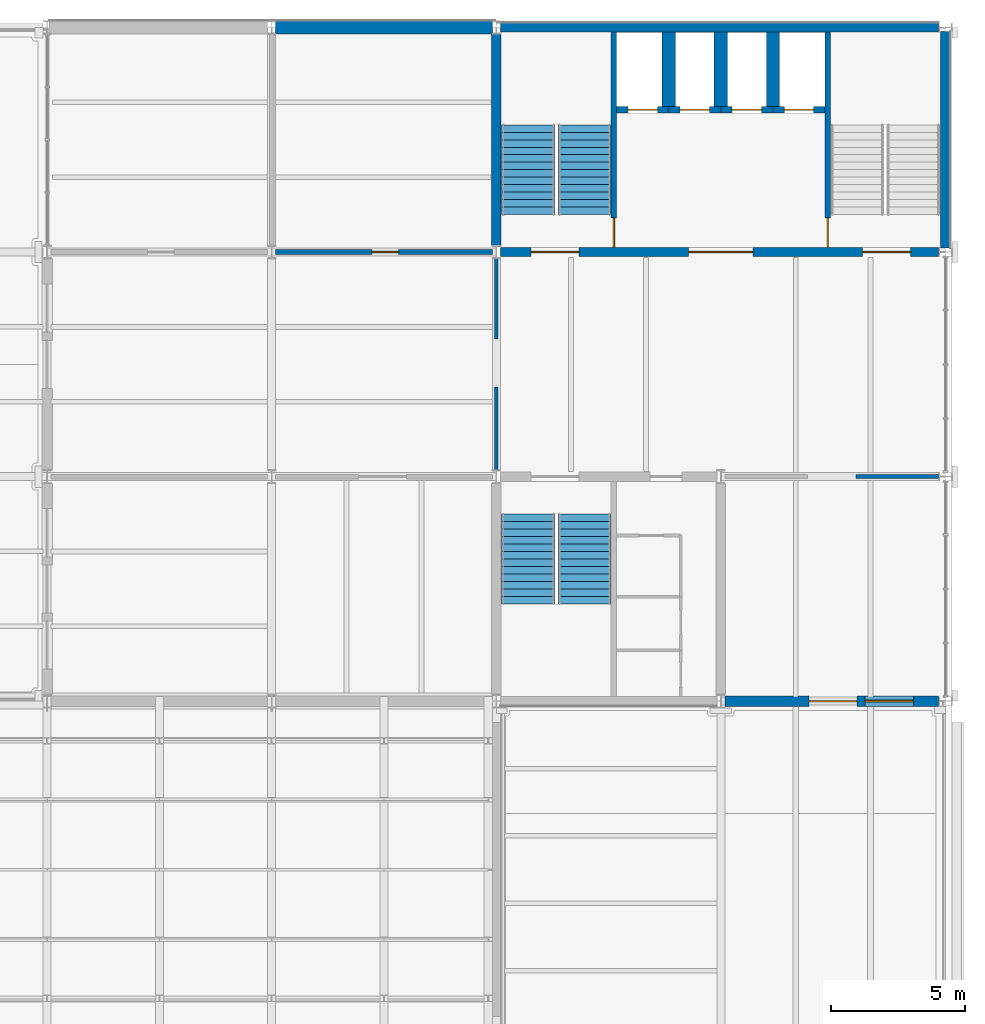
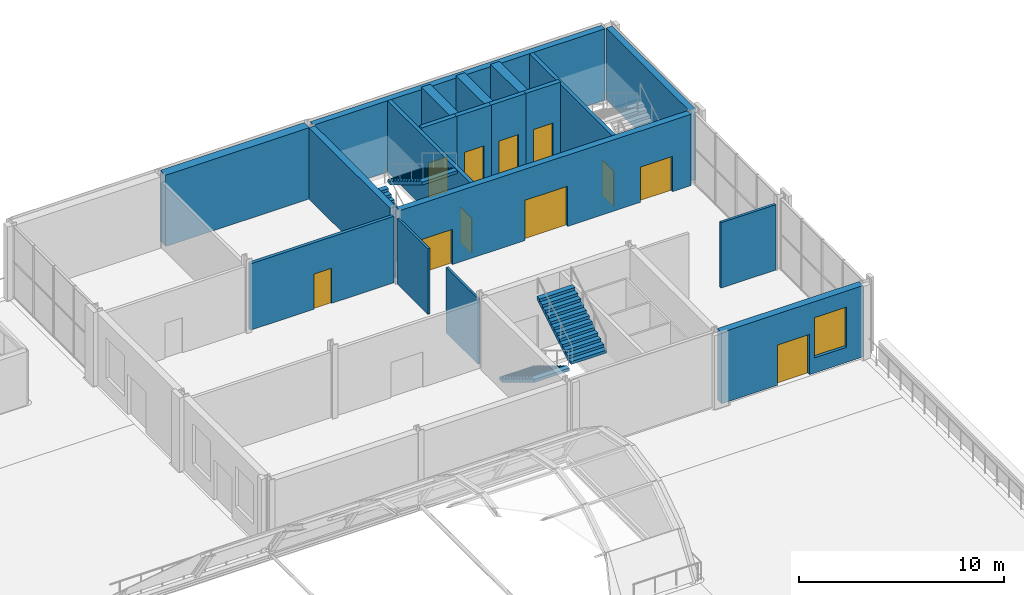
# One storey, part 41 of 58: 19 walls, 11 doors, 4 stair flights, 1 window, 12 openings, 2 elements without a shape of their own.
"""IFC4 building model written with IfcOpenShell, lengths in metres."""

from ifc_helpers import new_model, si_unit, direction, frame, frame_2d, origin, place, context, subcontext, project, spatial, polyline, rectangle, outline, extrude, material, layer, layer_set, type_object, element, fill, aggregate, save


model = new_model("IFC4")

# Units and contexts
model_context = context("Model", 3, precision=1e-05, world=origin(), true_north=direction((0.0, 1.0)))
body_context = subcontext(model_context, "Body", "Model", "MODEL_VIEW")
ifc_project = project(units=[si_unit("LENGTHUNIT", "METRE"), si_unit("AREAUNIT", "SQUARE_METRE"), si_unit("VOLUMEUNIT", "CUBIC_METRE"), si_unit("PLANEANGLEUNIT", "RADIAN"), si_unit("MASSUNIT", "GRAM", prefix="KILO")], contexts=[model_context])

# Site, building, storey
site_placement = place(None, origin())
site = spatial("IfcSite", under=ifc_project, at=site_placement, CompositionType="ELEMENT")
building_placement = place(site_placement, origin())
building = spatial("IfcBuilding", under=site, at=building_placement, Name="Galleria Vessillo Department Store", CompositionType="ELEMENT")
storey_placement = place(building_placement, frame((0.0, 0.0, 31.199951171875)))
storey = spatial("IfcBuildingStorey", under=building, at=storey_placement, Name="L06", CompositionType="ELEMENT", Elevation=31.199951171875)

# Wall, opening, door
ifc_material_1 = material(Name="Acoustic gypsum board partition")
ifc_layer_1 = layer(ifc_material_1, 0.175048828125)
ifc_layer_set_1 = layer_set([ifc_layer_1], Name="Acoustic gypsum board partition")
wall_type_1 = type_object("IfcWallType", Name="Acoustic conference partition 175 mm", PredefinedType="PARTITIONING", material=ifc_layer_set_1)
wall_1_placement = place(storey_placement, frame((92.5498046875, 54.60009765625, 0.0), z_axis=(0.0, 0.0, 1.0), x_axis=(1.0, 0.0, 0.0)))
wall_1 = element("IfcWall", 1, at=wall_1_placement, inside=storey, type_object=wall_type_1, Name="Partition wall PT6 on L06 no. 014", PredefinedType="PARTITIONING", context=body_context, shape_type="SweptSolid", body=[
    extrude(rectangle(XDim=8.100341796875, YDim=0.175048828125, at=frame_2d((4.05029296875, 0.0))), origin(), (0.0, 0.0, 1.0), 3.960205078125),
])
opening_1_placement = place(wall_1_placement, frame((3.60009765625, 0.0, 0.0)))
opening_1 = element("IfcOpeningElement", 2, at=opening_1_placement, cuts=wall_1, Name="Opening D2806", PredefinedType="OPENING", context=body_context, shape_type="SweptSolid", body=[
    extrude(rectangle(XDim=1.0, YDim=2.10009765625, at=frame_2d((0.5, 1.050048828125))), frame((0.0, 0.09765625, 0.0), z_axis=(0.0, -1.0, 0.0), x_axis=(1.0, 0.0, 0.0)), (0.0, 0.0, 1.0), 0.195068359375),
])
ifc_material_2 = material(Name="Timber and glass door leaf", Category="wood")
door_type_1 = type_object("IfcDoorType", Name="Floor door 1000 single leaf", OperationType="SINGLE_SWING_LEFT", PredefinedType="DOOR", material=ifc_material_2)
door_1_placement = place(opening_1_placement, origin())
door_1 = element("IfcDoor", 3, at=door_1_placement, inside=storey, type_object=door_type_1, Name="Door D2806", OperationType="SINGLE_SWING_RIGHT", OverallHeight=2.10009765625, OverallWidth=1.0, PredefinedType="DOOR", context=body_context, shape_type="SweptSolid", body=[
    extrude(rectangle(XDim=1.0, YDim=2.10009765625, at=frame_2d((0.5, 1.050048828125))), frame((0.0, 0.02490234375, 0.0), z_axis=(0.0, -1.0, 0.0), x_axis=(1.0, 0.0, 0.0)), (0.0, 0.0, 1.0), 0.050048828125),
])
fill(opening_1, door_1)

# Walls
ifc_material_3 = material(Name="Solid clay block masonry", Category="masonry")
ifc_layer_2 = layer(ifc_material_3, 0.5)
ifc_layer_set_2 = layer_set([ifc_layer_2], Name="Solid clay block masonry")
wall_type_2 = type_object("IfcWallType", Name="Lift shaft partition wall 500 mm", PredefinedType="SOLIDWALL", material=ifc_layer_set_2)
for number, where, z_axis, x_axis, name in (
    (4, (107.25, 62.824951171875, 0.0), (0.0, 0.0, 1.0), (0.0, -1.0, 0.0), "Lift shaft partition wall T1 L06"),
    (5, (109.199951171875, 62.824951171875, 0.0), (0.0, 0.0, 1.0), (0.0, -1.0, 0.0), "Lift shaft partition wall T2 L06"),
    (6, (111.14990234375, 62.824951171875, 0.0), (0.0, 0.0, 1.0), (0.0, -1.0, 0.0), "Lift shaft partition wall T3 L06"),
):
    element("IfcWall", number, at=place(storey_placement, frame(where, z_axis=z_axis, x_axis=x_axis)), inside=storey, type_object=wall_type_2, Name=name, PredefinedType="SOLIDWALL", context=body_context, shape_type="SweptSolid", body=[
        extrude(rectangle(XDim=2.77490234375, YDim=0.5, at=frame_2d((1.387451171875, 0.0))), origin(), (0.0, 0.0, 1.0), 4.400146484375),
    ])

# Wall, opening, door
ifc_material_4 = material(Name="Solid clay block masonry", Category="masonry")
ifc_layer_3 = layer(ifc_material_4, 0.25)
ifc_layer_set_3 = layer_set([ifc_layer_3], Name="Solid clay block masonry")
wall_type_3 = type_object("IfcWallType", Name="Lift shaft wall 250 mm", PredefinedType="SOLIDWALL", material=ifc_layer_set_3)
wall_2_placement = place(storey_placement, frame((105.300048828125, 59.925048828125, 0.0), z_axis=(0.0, 0.0, 1.0), x_axis=(1.0, 0.0, 0.0)))
wall_2 = element("IfcWall", 7, at=wall_2_placement, inside=storey, type_object=wall_type_3, Name="Lift shaft wall T1 landing side L06", PredefinedType="SOLIDWALL", context=body_context, shape_type="SweptSolid", body=[
    extrude(rectangle(XDim=1.949951171875, YDim=0.25, at=frame_2d((0.97509765625, 0.0))), origin(), (0.0, 0.0, 1.0), 4.400146484375),
])
opening_2_placement = place(wall_2_placement, frame((0.4248046875, 0.0, 0.0)))
opening_2 = element("IfcOpeningElement", 8, at=opening_2_placement, cuts=wall_2, Name="Opening LD097", PredefinedType="OPENING", context=body_context, shape_type="SweptSolid", body=[
    extrude(rectangle(XDim=1.10009765625, YDim=2.10009765625, at=frame_2d((0.550048828125, 1.050048828125))), frame((0.0, 0.135009765625, 0.0), z_axis=(0.0, -1.0, 0.0), x_axis=(1.0, 0.0, 0.0)), (0.0, 0.0, 1.0), 0.27001953125),
])
ifc_material_5 = material(Name="Stainless steel lift door panel", Category="steel")
door_type_2 = type_object("IfcDoorType", Name="Lift landing door LD110 sliding 1100 x 2100", OperationType="SLIDING_TO_LEFT", PredefinedType="DOOR", material=ifc_material_5)
door_2_placement = place(opening_2_placement, frame((1.10009765625, 0.0, 0.0), z_axis=(0.0, 0.0, 1.0), x_axis=(-1.0, 0.0, 0.0)))
door_2 = element("IfcDoor", 9, at=door_2_placement, inside=storey, type_object=door_type_2, Name="Lift landing door T1 L06", OperationType="SLIDING_TO_RIGHT", OverallHeight=2.10009765625, OverallWidth=1.10009765625, PredefinedType="DOOR", context=body_context, shape_type="SweptSolid", body=[
    extrude(rectangle(XDim=1.10009765625, YDim=2.10009765625, at=frame_2d((0.550048828125, 1.050048828125))), frame((0.0, 0.02490234375, 0.0), z_axis=(0.0, -1.0, 0.0), x_axis=(1.0, 0.0, 0.0)), (0.0, 0.0, 1.0), 0.050048828125),
])
fill(opening_2, door_2)

wall_3_placement = place(storey_placement, frame((107.25, 59.925048828125, 0.0), z_axis=(0.0, 0.0, 1.0), x_axis=(1.0, 0.0, 0.0)))
wall_3 = element("IfcWall", 10, at=wall_3_placement, inside=storey, type_object=wall_type_3, Name="Lift shaft wall T2 landing side L06", PredefinedType="SOLIDWALL", context=body_context, shape_type="SweptSolid", body=[
    extrude(rectangle(XDim=1.949951171875, YDim=0.25, at=frame_2d((0.97509765625, 0.0))), origin(), (0.0, 0.0, 1.0), 4.400146484375),
])
opening_3_placement = place(wall_3_placement, frame((0.425048828125, 0.0, 0.0)))
opening_3 = element("IfcOpeningElement", 11, at=opening_3_placement, cuts=wall_3, Name="Opening LD098", PredefinedType="OPENING", context=body_context, shape_type="SweptSolid", body=[
    extrude(rectangle(XDim=1.10009765625, YDim=2.10009765625, at=frame_2d((0.550048828125, 1.050048828125))), frame((0.0, 0.135009765625, 0.0), z_axis=(0.0, -1.0, 0.0), x_axis=(1.0, 0.0, 0.0)), (0.0, 0.0, 1.0), 0.27001953125),
])
door_3_placement = place(opening_3_placement, frame((1.10009765625, 0.0, 0.0), z_axis=(0.0, 0.0, 1.0), x_axis=(-1.0, 0.0, 0.0)))
door_3 = element("IfcDoor", 12, at=door_3_placement, inside=storey, type_object=door_type_2, Name="Lift landing door T2 L06", OperationType="SLIDING_TO_RIGHT", OverallHeight=2.10009765625, OverallWidth=1.10009765625, PredefinedType="DOOR", context=body_context, shape_type="SweptSolid", body=[
    extrude(rectangle(XDim=1.10009765625, YDim=2.10009765625, at=frame_2d((0.550048828125, 1.050048828125))), frame((0.0, 0.02490234375, 0.0), z_axis=(0.0, -1.0, 0.0), x_axis=(1.0, 0.0, 0.0)), (0.0, 0.0, 1.0), 0.050048828125),
])
fill(opening_3, door_3)

wall_4_placement = place(storey_placement, frame((109.199951171875, 59.925048828125, 0.0), z_axis=(0.0, 0.0, 1.0), x_axis=(1.0, 0.0, 0.0)))
wall_4 = element("IfcWall", 13, at=wall_4_placement, inside=storey, type_object=wall_type_3, Name="Lift shaft wall T3 landing side L06", PredefinedType="SOLIDWALL", context=body_context, shape_type="SweptSolid", body=[
    extrude(rectangle(XDim=1.949951171875, YDim=0.25, at=frame_2d((0.97509765625, 0.0))), origin(), (0.0, 0.0, 1.0), 4.400146484375),
])
opening_4_placement = place(wall_4_placement, frame((0.425048828125, 0.0, 0.0)))
opening_4 = element("IfcOpeningElement", 14, at=opening_4_placement, cuts=wall_4, Name="Opening LD099", PredefinedType="OPENING", context=body_context, shape_type="SweptSolid", body=[
    extrude(rectangle(XDim=1.10009765625, YDim=2.10009765625, at=frame_2d((0.550048828125, 1.050048828125))), frame((0.0, 0.135009765625, 0.0), z_axis=(0.0, -1.0, 0.0), x_axis=(1.0, 0.0, 0.0)), (0.0, 0.0, 1.0), 0.27001953125),
])
door_4_placement = place(opening_4_placement, frame((1.10009765625, 0.0, 0.0), z_axis=(0.0, 0.0, 1.0), x_axis=(-1.0, 0.0, 0.0)))
door_4 = element("IfcDoor", 15, at=door_4_placement, inside=storey, type_object=door_type_2, Name="Lift landing door T3 L06", OperationType="SLIDING_TO_RIGHT", OverallHeight=2.10009765625, OverallWidth=1.10009765625, PredefinedType="DOOR", context=body_context, shape_type="SweptSolid", body=[
    extrude(rectangle(XDim=1.10009765625, YDim=2.10009765625, at=frame_2d((0.550048828125, 1.050048828125))), frame((0.0, 0.02490234375, 0.0), z_axis=(0.0, -1.0, 0.0), x_axis=(1.0, 0.0, 0.0)), (0.0, 0.0, 1.0), 0.050048828125),
])
fill(opening_4, door_4)

wall_5_placement = place(storey_placement, frame((111.14990234375, 59.925048828125, 0.0), z_axis=(0.0, 0.0, 1.0), x_axis=(1.0, 0.0, 0.0)))
wall_5 = element("IfcWall", 16, at=wall_5_placement, inside=storey, type_object=wall_type_3, Name="Lift shaft wall T4 landing side L06", PredefinedType="SOLIDWALL", context=body_context, shape_type="SweptSolid", body=[
    extrude(rectangle(XDim=1.9501953125, YDim=0.25, at=frame_2d((0.97509765625, 0.0))), origin(), (0.0, 0.0, 1.0), 4.400146484375),
])
opening_5_placement = place(wall_5_placement, frame((0.425048828125, 0.0, 0.0)))
opening_5 = element("IfcOpeningElement", 17, at=opening_5_placement, cuts=wall_5, Name="Opening LD100", PredefinedType="OPENING", context=body_context, shape_type="SweptSolid", body=[
    extrude(rectangle(XDim=1.10009765625, YDim=2.10009765625, at=frame_2d((0.550048828125, 1.050048828125))), frame((0.0, 0.135009765625, 0.0), z_axis=(0.0, -1.0, 0.0), x_axis=(1.0, 0.0, 0.0)), (0.0, 0.0, 1.0), 0.27001953125),
])
door_5_placement = place(opening_5_placement, frame((1.10009765625, 0.0, 0.0), z_axis=(0.0, 0.0, 1.0), x_axis=(-1.0, 0.0, 0.0)))
door_5 = element("IfcDoor", 18, at=door_5_placement, inside=storey, type_object=door_type_2, Name="Lift landing door T4 L06", OperationType="SLIDING_TO_LEFT", OverallHeight=2.10009765625, OverallWidth=1.10009765625, PredefinedType="DOOR", context=body_context, shape_type="SweptSolid", body=[
    extrude(rectangle(XDim=1.10009765625, YDim=2.10009765625, at=frame_2d((0.550048828125, 1.050048828125))), frame((0.0, 0.02490234375, 0.0), z_axis=(0.0, -1.0, 0.0), x_axis=(1.0, 0.0, 0.0)), (0.0, 0.0, 1.0), 0.050048828125),
])
fill(opening_5, door_5)

# Wall, openings, door, window
ifc_material_6 = material(Name="Reinforced masonry, limestone units 80 MPa", Category="masonry")
ifc_layer_4 = layer(ifc_material_6, 0.39990234375)
ifc_layer_set_4 = layer_set([ifc_layer_4], Name="Reinforced masonry, limestone units 80 MPa")
wall_type_4 = type_object("IfcWallType", Name="Load-bearing limestone-faced wall 400 mm", PredefinedType="STANDARD", material=ifc_layer_set_4)
wall_6_placement = place(storey_placement, frame((109.349853515625, 37.800048828125, 0.0), z_axis=(0.0, 0.0, 1.0), x_axis=(1.0, 0.0, 0.0)))
wall_6 = element("IfcWall", 19, at=wall_6_placement, inside=storey, type_object=wall_type_4, Name="Load-bearing limestone-faced wall 400 mm TS-L06-01", PredefinedType="STANDARD", context=body_context, shape_type="SweptSolid", body=[
    extrude(rectangle(XDim=8.000244140625, YDim=0.39990234375, at=frame_2d((4.0, 0.0))), origin(), (0.0, 0.0, 1.0), 4.250244140625),
])
opening_6_placement = place(wall_6_placement, frame((5.250244140625, 0.0, 0.89990234375)))
opening_6 = element("IfcOpeningElement", 20, at=opening_6_placement, cuts=wall_6, Name="Opening W094", PredefinedType="OPENING", context=body_context, shape_type="SweptSolid", body=[
    extrude(rectangle(XDim=1.800048828125, YDim=2.39990234375, at=frame_2d((0.89990234375, 1.199951171875))), frame((0.0, 0.2099609375, 0.0), z_axis=(0.0, -1.0, 0.0), x_axis=(1.0, 0.0, 0.0)), (0.0, 0.0, 1.0), 0.419921875),
])
opening_7_placement = place(wall_6_placement, frame((3.150146484375, 0.0, 0.0)))
opening_7 = element("IfcOpeningElement", 21, at=opening_7_placement, cuts=wall_6, Name="Opening DT6-S113", PredefinedType="OPENING", context=body_context, shape_type="SweptSolid", body=[
    extrude(rectangle(XDim=1.800048828125, YDim=2.39990234375, at=frame_2d((0.89990234375, 1.199951171875))), frame((0.0, 0.2099609375, 0.0), z_axis=(0.0, -1.0, 0.0), x_axis=(1.0, 0.0, 0.0)), (0.0, 0.0, 1.0), 0.419921875),
])
ifc_material_7 = material(Name="Aluminium frame with laminated glass 44.2", Category="aluminium")
door_type_3 = type_object("IfcDoorType", Name="Glazed double terrace door 1800 x 2400", OperationType="DOUBLE_DOOR_SINGLE_SWING", PredefinedType="DOOR", material=ifc_material_7)
door_6_placement = place(opening_7_placement, origin())
door_6 = element("IfcDoor", 22, at=door_6_placement, inside=storey, type_object=door_type_3, Name="Glazed double terrace door 1800 x 2400 DT6-S113", OperationType="DOUBLE_DOOR_SINGLE_SWING", OverallHeight=2.39990234375, OverallWidth=1.800048828125, PredefinedType="DOOR", context=body_context, shape_type="SweptSolid", body=[
    extrude(rectangle(XDim=1.800048828125, YDim=2.39990234375, at=frame_2d((0.89990234375, 1.199951171875))), frame((0.0, 0.02490234375, 0.0), z_axis=(0.0, -1.0, 0.0), x_axis=(1.0, 0.0, 0.0)), (0.0, 0.0, 1.0), 0.050048828125),
])
fill(opening_7, door_6)
ifc_material_8 = material(Name="Aluminium frame with laminated glass 44.2", Category="aluminium")
window_type = type_object("IfcWindowType", Name="Tower window, lower storeys 1800 x 2400", PartitioningType="SINGLE_PANEL", PredefinedType="WINDOW", material=ifc_material_8)
window_placement = place(opening_6_placement, origin())
window = element("IfcWindow", 23, at=window_placement, inside=storey, type_object=window_type, Name="E-WIN-TS-L06-01-094", OverallHeight=2.39990234375, OverallWidth=1.800048828125, PartitioningType="SINGLE_PANEL", PredefinedType="WINDOW", context=body_context, shape_type="SweptSolid", body=[
    extrude(rectangle(XDim=1.800048828125, YDim=2.39990234375, at=frame_2d((0.89990234375, 1.199951171875))), frame((0.0, 0.030029296875, 0.0), z_axis=(0.0, -1.0, 0.0), x_axis=(1.0, 0.0, 0.0)), (0.0, 0.0, 1.0), 0.06005859375),
])
fill(opening_6, window)

# Walls
ifc_material_9 = material(Name="Gypsum board partition")
ifc_layer_5 = layer(ifc_material_9, 0.125)
ifc_layer_set_5 = layer_set([ifc_layer_5], Name="Gypsum board partition")
wall_type_5 = type_object("IfcWallType", Name="Office partition 125 mm", PredefinedType="PARTITIONING", material=ifc_layer_set_5)
wall_7_placement = place(storey_placement, frame((100.800048828125, 46.449951171875, 0.0), z_axis=(0.0, 0.0, 1.0), x_axis=(0.0, 1.0, 0.0)))
element("IfcWall", 24, at=wall_7_placement, inside=storey, type_object=wall_type_5, Name="Partition wall PT2 on L06 no. 011", PredefinedType="PARTITIONING", context=body_context, shape_type="SweptSolid", body=[
    extrude(rectangle(XDim=3.10009765625, YDim=0.125, at=frame_2d((1.550048828125, 0.0))), origin(), (0.0, 0.0, 1.0), 3.900146484375),
])
wall_8_placement = place(storey_placement, frame((100.800048828125, 51.349853515625, 0.0), z_axis=(0.0, 0.0, 1.0), x_axis=(0.0, 1.0, 0.0)))
element("IfcWall", 25, at=wall_8_placement, inside=storey, type_object=wall_type_5, Name="Partition wall PT2 on L06 no. 012", PredefinedType="PARTITIONING", context=body_context, shape_type="SweptSolid", body=[
    extrude(rectangle(XDim=3.000244140625, YDim=0.125, at=frame_2d((1.5, 0.0))), origin(), (0.0, 0.0, 1.0), 3.900146484375),
])

# Wall, openings, doors
ifc_material_10 = material(Name="Concrete C32/40 reinforced", Category="concrete")
ifc_layer_6 = layer(ifc_material_10, 0.35009765625)
ifc_layer_set_6 = layer_set([ifc_layer_6], Name="Concrete C32/40 reinforced")
wall_type_6 = type_object("IfcWallType", Name="Reinforced concrete core wall 350 mm", PredefinedType="SHEAR", material=ifc_layer_set_6)
wall_9_placement = place(storey_placement, frame((100.949951171875, 54.60009765625, 0.0), z_axis=(0.0, 0.0, 1.0), x_axis=(1.0, 0.0, 0.0)))
wall_9 = element("IfcWall", 26, at=wall_9_placement, inside=storey, type_object=wall_type_6, Name="S-CW-TC-INTERIOR-L06", PredefinedType="SHEAR", context=body_context, shape_type="SweptSolid", body=[
    extrude(rectangle(XDim=16.400146484375, YDim=0.35009765625, at=frame_2d((8.2001953125, 0.0))), origin(), (0.0, 0.0, 1.0), 4.250244140625),
])
opening_8_placement = place(wall_9_placement, frame((1.14990234375, 0.0, 0.0)))
opening_8 = element("IfcOpeningElement", 27, at=opening_8_placement, cuts=wall_9, Name="Opening D5272", PredefinedType="OPENING", context=body_context, shape_type="SweptSolid", body=[
    extrude(rectangle(XDim=1.800048828125, YDim=2.10009765625, at=frame_2d((0.89990234375, 1.050048828125))), frame((0.0, 0.18505859375, 0.0), z_axis=(0.0, -1.0, 0.0), x_axis=(1.0, 0.0, 0.0)), (0.0, 0.0, 1.0), 0.3701171875),
])
opening_9_placement = place(wall_9_placement, frame((13.5498046875, 0.0, 0.0)))
opening_9 = element("IfcOpeningElement", 28, at=opening_9_placement, cuts=wall_9, Name="Opening D5273", PredefinedType="OPENING", context=body_context, shape_type="SweptSolid", body=[
    extrude(rectangle(XDim=1.800048828125, YDim=2.10009765625, at=frame_2d((0.89990234375, 1.050048828125))), frame((0.0, 0.18505859375, 0.0), z_axis=(0.0, -1.0, 0.0), x_axis=(1.0, 0.0, 0.0)), (0.0, 0.0, 1.0), 0.3701171875),
])
opening_10_placement = place(wall_9_placement, frame((7.0498046875, 0.0, 0.0)))
opening_10 = element("IfcOpeningElement", 29, at=opening_10_placement, cuts=wall_9, Name="Opening D5274", PredefinedType="OPENING", context=body_context, shape_type="SweptSolid", body=[
    extrude(rectangle(XDim=2.39990234375, YDim=2.39990234375, at=frame_2d((1.199951171875, 1.199951171875))), frame((0.0, 0.18505859375, 0.0), z_axis=(0.0, -1.0, 0.0), x_axis=(1.0, 0.0, 0.0)), (0.0, 0.0, 1.0), 0.3701171875),
])
ifc_material_11 = material(Name="Fire-rated steel door leaf", Category="steel")
door_type_4 = type_object("IfcDoorType", Name="Door D180F double leaf 1800 x 2100", OperationType="DOUBLE_DOOR_SINGLE_SWING", PredefinedType="DOOR", material=ifc_material_11)
door_7_placement = place(opening_8_placement, origin())
door_7 = element("IfcDoor", 30, at=door_7_placement, inside=storey, type_object=door_type_4, Name="Lobby door TC-ST8-FLOOR L06", OperationType="DOUBLE_DOOR_SINGLE_SWING", OverallHeight=2.10009765625, OverallWidth=1.800048828125, PredefinedType="DOOR", context=body_context, shape_type="SweptSolid", body=[
    extrude(rectangle(XDim=1.800048828125, YDim=2.10009765625, at=frame_2d((0.89990234375, 1.050048828125))), frame((0.0, 0.02490234375, 0.0), z_axis=(0.0, -1.0, 0.0), x_axis=(1.0, 0.0, 0.0)), (0.0, 0.0, 1.0), 0.050048828125),
])
fill(opening_8, door_7)
door_8_placement = place(opening_9_placement, origin())
door_8 = element("IfcDoor", 31, at=door_8_placement, inside=storey, type_object=door_type_4, Name="Lobby door TC-ST9-FLOOR L06", OperationType="DOUBLE_DOOR_SINGLE_SWING", OverallHeight=2.10009765625, OverallWidth=1.800048828125, PredefinedType="DOOR", context=body_context, shape_type="SweptSolid", body=[
    extrude(rectangle(XDim=1.800048828125, YDim=2.10009765625, at=frame_2d((0.89990234375, 1.050048828125))), frame((0.0, 0.02490234375, 0.0), z_axis=(0.0, -1.0, 0.0), x_axis=(1.0, 0.0, 0.0)), (0.0, 0.0, 1.0), 0.050048828125),
])
fill(opening_9, door_8)
ifc_material_12 = material(Name="Fire-rated steel door leaf", Category="steel")
door_type_5 = type_object("IfcDoorType", Name="Door D240F double leaf 2400 x 2400", OperationType="DOUBLE_DOOR_SINGLE_SWING", PredefinedType="DOOR", material=ifc_material_12)
door_9_placement = place(opening_10_placement, frame((2.39990234375, 0.0, 0.0), z_axis=(0.0, 0.0, 1.0), x_axis=(-1.0, 0.0, 0.0)))
door_9 = element("IfcDoor", 32, at=door_9_placement, inside=storey, type_object=door_type_5, Name="Lobby door TC-LOBBY-FLOOR L06", OperationType="DOUBLE_DOOR_SINGLE_SWING", OverallHeight=2.39990234375, OverallWidth=2.39990234375, PredefinedType="DOOR", context=body_context, shape_type="SweptSolid", body=[
    extrude(rectangle(XDim=2.39990234375, YDim=2.39990234375, at=frame_2d((1.199951171875, 1.199951171875))), frame((0.0, 0.02490234375, 0.0), z_axis=(0.0, -1.0, 0.0), x_axis=(1.0, 0.0, 0.0)), (0.0, 0.0, 1.0), 0.050048828125),
])
fill(opening_10, door_9)

# Walls
wall_10_placement = place(storey_placement, frame((100.800048828125, 54.85009765625, 0.0), z_axis=(0.0, 0.0, 1.0), x_axis=(0.0, 1.0, 0.0)))
element("IfcWall", 33, at=wall_10_placement, inside=storey, type_object=wall_type_6, Name="S-CW-TC-WEST-L06", PredefinedType="SHEAR", context=body_context, shape_type="SweptSolid", body=[
    extrude(rectangle(XDim=7.89990234375, YDim=0.35009765625, at=frame_2d((3.949951171875, 0.0))), origin(), (0.0, 0.0, 1.0), 4.250244140625),
])
ifc_material_13 = material(Name="Concrete C32/40 reinforced", Category="concrete")
ifc_layer_7 = layer(ifc_material_13, 0.35009765625)
ifc_layer_set_7 = layer_set([ifc_layer_7], Name="Concrete C32/40 reinforced")
wall_type_7 = type_object("IfcWallType", Name="Reinforced concrete core wall 350 mm, external", PredefinedType="SHEAR", material=ifc_layer_set_7)
wall_11_placement = place(storey_placement, frame((100.949951171875, 63.0, 0.0), z_axis=(0.0, 0.0, 1.0), x_axis=(1.0, 0.0, 0.0)))
element("IfcWall", 34, at=wall_11_placement, inside=storey, type_object=wall_type_7, Name="S-CW-TC-PARTY-L06", PredefinedType="SHEAR", context=body_context, shape_type="SweptSolid", body=[
    extrude(rectangle(XDim=16.400146484375, YDim=0.35009765625, at=frame_2d((8.2001953125, 0.0))), origin(), (0.0, 0.0, 1.0), 4.250244140625),
])
wall_12_placement = place(storey_placement, frame((117.60009765625, 54.75, 0.0), z_axis=(0.0, 0.0, 1.0), x_axis=(0.0, 1.0, 0.0)))
element("IfcWall", 35, at=wall_12_placement, inside=storey, type_object=wall_type_7, Name="S-CW-TC-EAST-L06", PredefinedType="SHEAR", context=body_context, shape_type="SweptSolid", body=[
    extrude(rectangle(XDim=8.10009765625, YDim=0.35009765625, at=frame_2d((4.050048828125, 0.0))), origin(), (0.0, 0.0, 1.0), 4.250244140625),
])
ifc_material_14 = material(Name="Concrete C32/40 reinforced", Category="concrete")
ifc_layer_8 = layer(ifc_material_14, 0.5)
ifc_layer_set_8 = layer_set([ifc_layer_8], Name="Concrete C32/40 reinforced")
wall_type_8 = type_object("IfcWallType", Name="Reinforced concrete party wall 500 mm", PredefinedType="SHEAR", material=ifc_layer_set_8)
wall_13_placement = place(storey_placement, frame((92.5498046875, 63.0, 0.0), z_axis=(0.0, 0.0, 1.0), x_axis=(1.0, 0.0, 0.0)))
element("IfcWall", 36, at=wall_13_placement, inside=storey, type_object=wall_type_8, Name="S-TN-L06-02", PredefinedType="SHEAR", context=body_context, shape_type="SweptSolid", body=[
    extrude(rectangle(XDim=8.100341796875, YDim=0.5, at=frame_2d((4.05029296875, 0.0))), origin(), (0.0, 0.0, 1.0), 4.250244140625),
])

# Wall, opening, door
ifc_material_15 = material(Name="Concrete C32/40 reinforced", Category="concrete")
ifc_layer_9 = layer(ifc_material_15, 0.199951171875)
ifc_layer_set_9 = layer_set([ifc_layer_9], Name="Concrete C32/40 reinforced")
wall_type_9 = type_object("IfcWallType", Name="Reinforced concrete stair enclosure wall 200 mm", PredefinedType="SHEAR", material=ifc_layer_set_9)
wall_14_placement = place(storey_placement, frame((105.199951171875, 62.824951171875, 0.0), z_axis=(0.0, 0.0, 1.0), x_axis=(0.0, -1.0, 0.0)))
wall_14 = element("IfcWall", 37, at=wall_14_placement, inside=storey, type_object=wall_type_9, Name="Stair enclosure wall TC L06", PredefinedType="SHEAR", context=body_context, shape_type="SweptSolid", body=[
    extrude(rectangle(XDim=8.050048828125, YDim=0.199951171875, at=frame_2d((4.02490234375, 0.0))), origin(), (0.0, 0.0, 1.0), 4.25),
])
opening_11_placement = place(wall_14_placement, frame((6.949951171875, 0.0, 0.0)))
opening_11 = element("IfcOpeningElement", 38, at=opening_11_placement, cuts=wall_14, Name="Opening D5270", PredefinedType="OPENING", context=body_context, shape_type="SweptSolid", body=[
    extrude(rectangle(XDim=1.11009765625, YDim=2.10009765625, at=frame_2d((0.554931640625, 1.050048828125))), frame((0.0, 0.10986328125, 0.0), z_axis=(0.0, -1.0, 0.0), x_axis=(1.0, 0.0, 0.0)), (0.0, 0.0, 1.0), 0.219970703125),
])
ifc_material_16 = material(Name="Fire-rated steel door leaf", Category="steel")
door_type_6 = type_object("IfcDoorType", Name="Door D110F stair door 1100 x 2100", OperationType="SINGLE_SWING_LEFT", PredefinedType="DOOR", material=ifc_material_16)
door_10_placement = place(opening_11_placement, frame((1.10009765625, 0.0, 0.0), z_axis=(0.0, 0.0, 1.0), x_axis=(-1.0, 0.0, 0.0)))
door_10 = element("IfcDoor", 39, at=door_10_placement, inside=storey, type_object=door_type_6, Name="Stair door TC-ST8-LOBBY L06", OperationType="SINGLE_SWING_LEFT", OverallHeight=2.10009765625, OverallWidth=1.10009765625, PredefinedType="DOOR", context=body_context, shape_type="SweptSolid", body=[
    extrude(rectangle(XDim=1.10009765625, YDim=2.10009765625, at=frame_2d((0.550048828125, 1.050048828125))), frame((0.0, 0.02490234375, 0.0), z_axis=(0.0, -1.0, 0.0), x_axis=(1.0, 0.0, 0.0)), (0.0, 0.0, 1.0), 0.050048828125),
])
fill(opening_11, door_10)

wall_15_placement = place(storey_placement, frame((113.199951171875, 62.824951171875, 0.0), z_axis=(0.0, 0.0, 1.0), x_axis=(0.0, -1.0, 0.0)))
wall_15 = element("IfcWall", 40, at=wall_15_placement, inside=storey, type_object=wall_type_9, Name="Stair enclosure wall TC L06", PredefinedType="SHEAR", context=body_context, shape_type="SweptSolid", body=[
    extrude(rectangle(XDim=8.050048828125, YDim=0.199951171875, at=frame_2d((4.02490234375, 0.0))), origin(), (0.0, 0.0, 1.0), 4.25),
])
opening_12_placement = place(wall_15_placement, frame((6.949951171875, 0.0, 0.0)))
opening_12 = element("IfcOpeningElement", 41, at=opening_12_placement, cuts=wall_15, Name="Opening D5271", PredefinedType="OPENING", context=body_context, shape_type="SweptSolid", body=[
    extrude(rectangle(XDim=1.11009765625, YDim=2.10009765625, at=frame_2d((0.554931640625, 1.050048828125))), frame((0.0, 0.10986328125, 0.0), z_axis=(0.0, -1.0, 0.0), x_axis=(1.0, 0.0, 0.0)), (0.0, 0.0, 1.0), 0.219970703125),
])
door_11_placement = place(opening_12_placement, origin())
door_11 = element("IfcDoor", 42, at=door_11_placement, inside=storey, type_object=door_type_6, Name="Stair door TC-ST9-LOBBY L06", OperationType="SINGLE_SWING_RIGHT", OverallHeight=2.10009765625, OverallWidth=1.10009765625, PredefinedType="DOOR", context=body_context, shape_type="SweptSolid", body=[
    extrude(rectangle(XDim=1.10009765625, YDim=2.10009765625, at=frame_2d((0.550048828125, 1.050048828125))), frame((0.0, 0.02490234375, 0.0), z_axis=(0.0, -1.0, 0.0), x_axis=(1.0, 0.0, 0.0)), (0.0, 0.0, 1.0), 0.050048828125),
])
fill(opening_12, door_11)

# Wall
ifc_material_17 = material(Name="Gypsum board partition")
ifc_layer_10 = layer(ifc_material_17, 0.139892578125)
ifc_layer_set_10 = layer_set([ifc_layer_10], Name="Gypsum board partition")
wall_type_10 = type_object("IfcWallType", Name="Sales dividing wall 140 mm", PredefinedType="PARTITIONING", material=ifc_layer_set_10)
wall_16_placement = place(storey_placement, frame((114.25, 46.199951171875, 0.0), z_axis=(0.0, 0.0, 1.0), x_axis=(1.0, 0.0, 0.0)))
element("IfcWall", 43, at=wall_16_placement, inside=storey, type_object=wall_type_10, Name="Partition wall PT3 on L06 no. 010", PredefinedType="PARTITIONING", context=body_context, shape_type="SweptSolid", body=[
    extrude(rectangle(XDim=3.10009765625, YDim=0.139892578125, at=frame_2d((1.550048828125, 0.0))), origin(), (0.0, 0.0, 1.0), 3.900146484375),
])

# Stair, stair flights
ifc_material_18 = material(Name="Concrete C32/40", Category="concrete")
stair_type = type_object("IfcStairType", Name="Half-turn escape stair 2000 mm, 26 risers of 169 mm", PredefinedType="HALF_TURN_STAIR", material=ifc_material_18)
stair_1_placement = place(storey_placement, origin())
stair_1 = element("IfcStair", 44, at=stair_1_placement, inside=storey, type_object=stair_type, Name="Stair ST8 L06", PredefinedType="HALF_TURN_STAIR")
ifc_material_19 = material(Name="Concrete C32/40", Category="concrete")
stair_flight_type = type_object("IfcStairFlightType", Name="Stair flight 2000 mm, 13 risers of 169 mm", PredefinedType="STRAIGHT", material=ifc_material_19)
stair_flight_1_placement = place(storey_placement, frame((102.0, 55.99951171875, 0.0), z_axis=(0.0, 0.0, 1.0), x_axis=(0.0, 1.0, 0.0)))
stair_flight_1 = element("IfcStairFlight", 45, at=stair_flight_1_placement, type_object=stair_flight_type, Name="ST8 flight 1", NumberOfRisers=13, NumberOfTreads=12, PredefinedType="STRAIGHT", RiserHeight=0.169230769, TreadLength=0.28, context=body_context, shape_type="SweptSolid", body=[
    extrude(outline(polyline([(0.0, 0.0), (0.0, 0.169189453125), (0.280029296875, 0.169189453125), (0.280029296875, 0.33837890625), (0.56005859375, 0.33837890625), (0.56005859375, 0.5078125), (0.840087890625, 0.5078125), (0.840087890625, 0.677001953125), (1.1201171875, 0.677001953125), (1.1201171875, 0.84619140625), (1.39990234375, 0.84619140625), (1.39990234375, 1.015380859375), (1.679931640625, 1.015380859375), (1.679931640625, 1.1845703125), (1.9599609375, 1.1845703125), (1.9599609375, 1.353759765625), (2.239990234375, 1.353759765625), (2.239990234375, 1.523193359375), (2.52001953125, 1.523193359375), (2.52001953125, 1.6923828125), (2.800048828125, 1.6923828125), (2.800048828125, 1.861572265625), (3.080078125, 1.861572265625), (3.080078125, 2.03076171875), (3.360107421875, 2.03076171875), (3.360107421875, 2.199951171875), (3.360107421875, 1.855712890625), (0.289794921875, 0.0), (0.0, 0.0)])), frame((0.0, 1.0, 0.0), z_axis=(0.0, -1.0, 0.0), x_axis=(1.0, 0.0, 0.0)), (0.0, 0.0, 1.0), 2.0),
])
stair_flight_2_placement = place(storey_placement, frame((104.10009765625, 59.359619140625, 2.199951171875), z_axis=(0.0, 0.0, 1.0), x_axis=(0.0, -1.0, 0.0)))
stair_flight_2 = element("IfcStairFlight", 46, at=stair_flight_2_placement, type_object=stair_flight_type, Name="ST8 flight 2", NumberOfRisers=13, NumberOfTreads=12, PredefinedType="STRAIGHT", RiserHeight=0.169230769, TreadLength=0.28, context=body_context, shape_type="SweptSolid", body=[
    extrude(outline(polyline([(0.0, 0.0), (0.0, 0.169189453125), (0.280029296875, 0.169189453125), (0.280029296875, 0.33837890625), (0.56005859375, 0.33837890625), (0.56005859375, 0.5078125), (0.840087890625, 0.5078125), (0.840087890625, 0.677001953125), (1.1201171875, 0.677001953125), (1.1201171875, 0.84619140625), (1.39990234375, 0.84619140625), (1.39990234375, 1.015380859375), (1.679931640625, 1.015380859375), (1.679931640625, 1.1845703125), (1.9599609375, 1.1845703125), (1.9599609375, 1.353759765625), (2.239990234375, 1.353759765625), (2.239990234375, 1.523193359375), (2.52001953125, 1.523193359375), (2.52001953125, 1.6923828125), (2.800048828125, 1.6923828125), (2.800048828125, 1.861572265625), (3.080078125, 1.861572265625), (3.080078125, 2.03076171875), (3.360107421875, 2.03076171875), (3.360107421875, 2.199951171875), (3.360107421875, 1.855712890625), (0.289794921875, 0.0), (0.0, 0.0)])), frame((0.0, 1.0, 0.0), z_axis=(0.0, -1.0, 0.0), x_axis=(1.0, 0.0, 0.0)), (0.0, 0.0, 1.0), 2.0),
])
aggregate(stair_1, [stair_flight_1, stair_flight_2])

stair_2_placement = place(storey_placement, origin())
stair_2 = element("IfcStair", 47, at=stair_2_placement, inside=storey, type_object=stair_type, Name="Stair ST12 L06", PredefinedType="HALF_TURN_STAIR")
stair_flight_3_placement = place(storey_placement, frame((102.0, 44.800537109375, 0.0), z_axis=(0.0, 0.0, 1.0), x_axis=(0.0, -1.0, 0.0)))
stair_flight_3 = element("IfcStairFlight", 48, at=stair_flight_3_placement, type_object=stair_flight_type, Name="ST12 flight 1", NumberOfRisers=13, NumberOfTreads=12, PredefinedType="STRAIGHT", RiserHeight=0.169230769, TreadLength=0.28, context=body_context, shape_type="SweptSolid", body=[
    extrude(outline(polyline([(0.0, 0.0), (0.0, 0.169189453125), (0.280029296875, 0.169189453125), (0.280029296875, 0.33837890625), (0.56005859375, 0.33837890625), (0.56005859375, 0.5078125), (0.840087890625, 0.5078125), (0.840087890625, 0.677001953125), (1.1201171875, 0.677001953125), (1.1201171875, 0.84619140625), (1.39990234375, 0.84619140625), (1.39990234375, 1.015380859375), (1.679931640625, 1.015380859375), (1.679931640625, 1.1845703125), (1.9599609375, 1.1845703125), (1.9599609375, 1.353759765625), (2.239990234375, 1.353759765625), (2.239990234375, 1.523193359375), (2.52001953125, 1.523193359375), (2.52001953125, 1.6923828125), (2.800048828125, 1.6923828125), (2.800048828125, 1.861572265625), (3.080078125, 1.861572265625), (3.080078125, 2.03076171875), (3.360107421875, 2.03076171875), (3.360107421875, 2.199951171875), (3.360107421875, 1.855712890625), (0.289794921875, 0.0), (0.0, 0.0)])), frame((0.0, 1.0, 0.0), z_axis=(0.0, -1.0, 0.0), x_axis=(1.0, 0.0, 0.0)), (0.0, 0.0, 1.0), 2.0),
])
stair_flight_4_placement = place(storey_placement, frame((104.10009765625, 41.4404296875, 2.199951171875), z_axis=(0.0, 0.0, 1.0), x_axis=(0.0, 1.0, 0.0)))
stair_flight_4 = element("IfcStairFlight", 49, at=stair_flight_4_placement, type_object=stair_flight_type, Name="ST12 flight 2", NumberOfRisers=13, NumberOfTreads=12, PredefinedType="STRAIGHT", RiserHeight=0.169230769, TreadLength=0.28, context=body_context, shape_type="SweptSolid", body=[
    extrude(outline(polyline([(0.0, 0.0), (0.0, 0.169189453125), (0.280029296875, 0.169189453125), (0.280029296875, 0.33837890625), (0.56005859375, 0.33837890625), (0.56005859375, 0.5078125), (0.840087890625, 0.5078125), (0.840087890625, 0.677001953125), (1.1201171875, 0.677001953125), (1.1201171875, 0.84619140625), (1.39990234375, 0.84619140625), (1.39990234375, 1.015380859375), (1.679931640625, 1.015380859375), (1.679931640625, 1.1845703125), (1.9599609375, 1.1845703125), (1.9599609375, 1.353759765625), (2.239990234375, 1.353759765625), (2.239990234375, 1.523193359375), (2.52001953125, 1.523193359375), (2.52001953125, 1.6923828125), (2.800048828125, 1.6923828125), (2.800048828125, 1.861572265625), (3.080078125, 1.861572265625), (3.080078125, 2.03076171875), (3.360107421875, 2.03076171875), (3.360107421875, 2.199951171875), (3.360107421875, 1.855712890625), (0.289794921875, 0.0), (0.0, 0.0)])), frame((0.0, 1.0, 0.0), z_axis=(0.0, -1.0, 0.0), x_axis=(1.0, 0.0, 0.0)), (0.0, 0.0, 1.0), 2.0),
])
aggregate(stair_2, [stair_flight_3, stair_flight_4])

save(model, "model.ifc")
